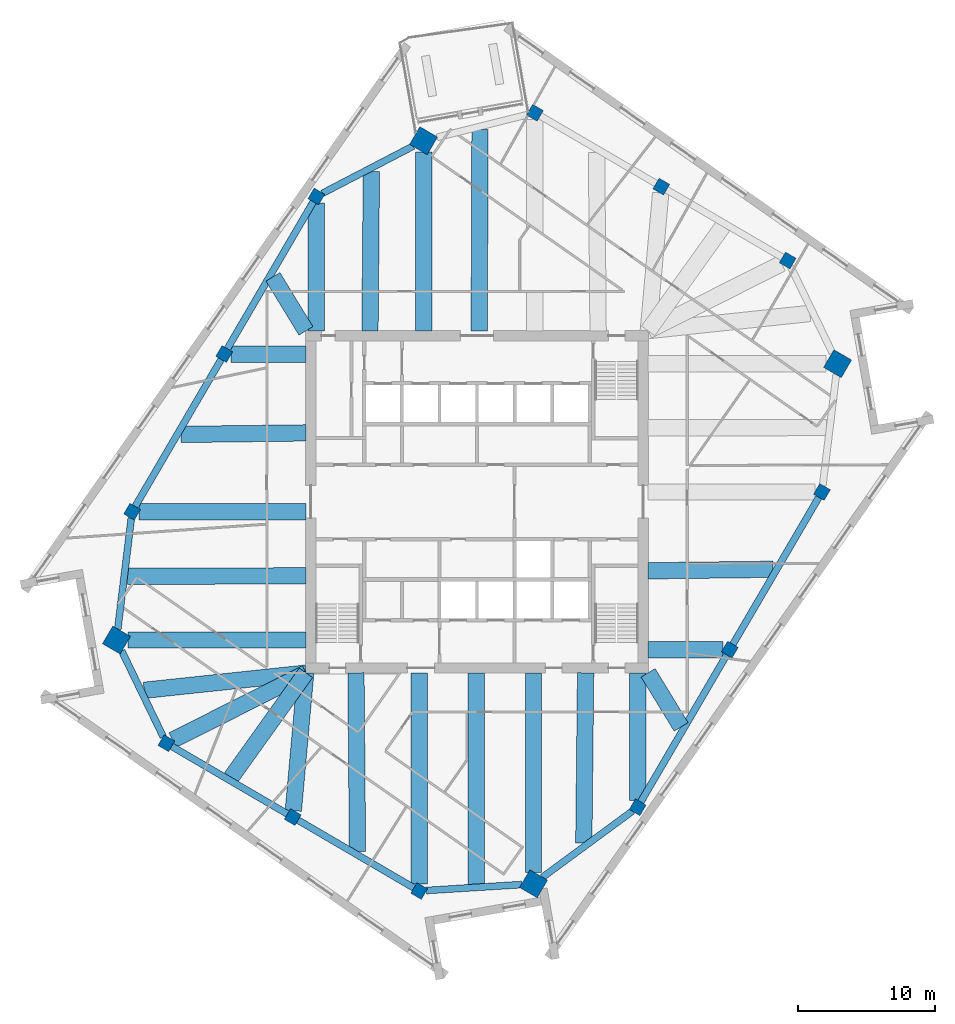
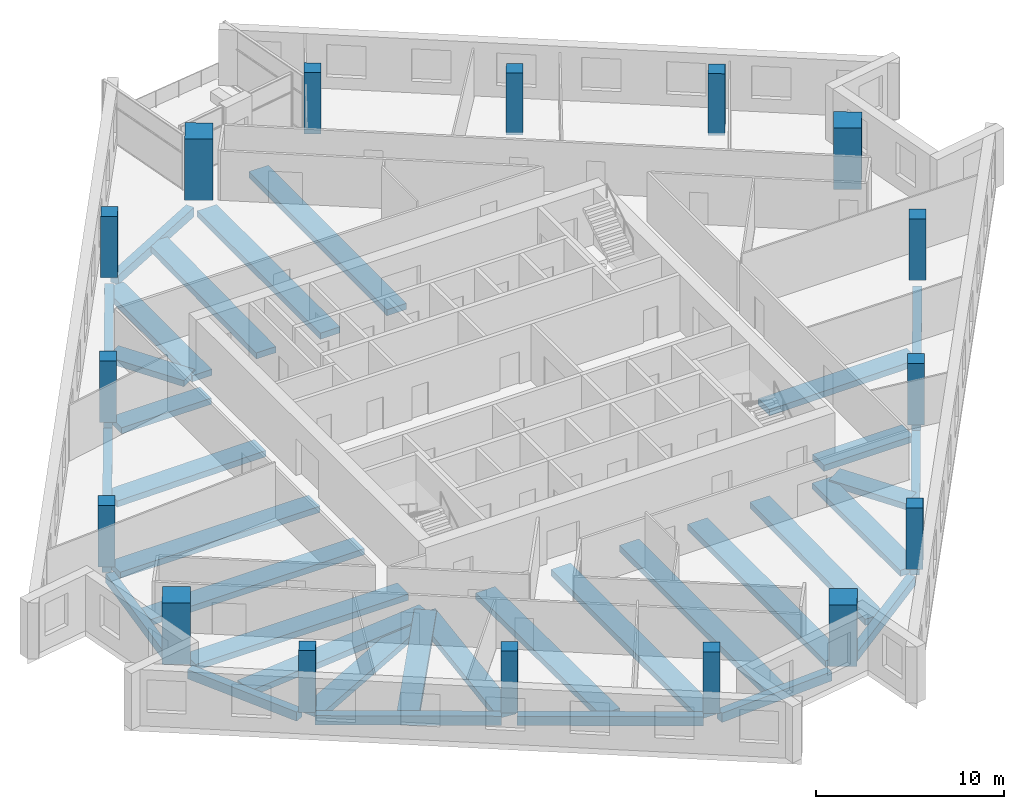
# One storey, part 1 of 13: 34 beams, 16 columns.
"""IFC4 building model written with IfcOpenShell, lengths in metres."""

from ifc_helpers import new_model, si_unit, direction, frame, origin, origin_2d, place, context, subcontext, project, spatial, rectangle, extrude, material, material_profile, profile_set, type_object, element, save


model = new_model("IFC4")

# Units and contexts
model_context = context("Model", 3, precision=1e-05, world=origin(), true_north=direction((0.0, 1.0)))
body_context = subcontext(model_context, "Body", "Model", "MODEL_VIEW")
ifc_project = project(units=[si_unit("LENGTHUNIT", "METRE"), si_unit("AREAUNIT", "SQUARE_METRE"), si_unit("VOLUMEUNIT", "CUBIC_METRE"), si_unit("PLANEANGLEUNIT", "RADIAN"), si_unit("MASSUNIT", "GRAM", prefix="KILO")], contexts=[model_context])

# Site, building, storey
site_placement = place(None, origin())
site = spatial("IfcSite", under=ifc_project, at=site_placement, CompositionType="ELEMENT")
building_placement = place(site_placement, origin())
building = spatial("IfcBuilding", under=site, at=building_placement, Name="Dilmun Exchange Tower", CompositionType="ELEMENT")
storey_placement = place(building_placement, frame((0.0, 0.0, 250.89990234375)))
storey = spatial("IfcBuildingStorey", under=building, at=storey_placement, Name="L59", CompositionType="ELEMENT", Elevation=250.89990234375)

# Columns
ifc_material_1 = material(Name="Concrete C50/60", Category="concrete")
ifc_material_profile_1 = material_profile(ifc_material_1, rectangle(XDim=1.5, YDim=1.5, at=origin_2d()), Name="1500 x 1500")
ifc_profile_set_1 = profile_set([ifc_material_profile_1], Name="Concrete C50/60")
column_type_1 = type_object("IfcColumnType", Name="RC mega column 1500 x 1500 C50/60", PredefinedType="COLUMN", material=ifc_profile_set_1)
for number, where, z_axis, x_axis, name in (
    (1, (-3.9150390625, 26.45703125, 0.0), (0.0, 0.0, 1.0), (0.504643651291, 0.863327739165, 0.0), "Mega column M1"),
    (2, (-26.4150390625, -10.1220703125, 0.0), (0.0, 0.0, 1.0), (0.504643651291, 0.863327739165, 0.0), "Mega column M2"),
    (3, (4.14111328125, -27.98291015625, 0.0), (0.0, 0.0, 1.0), (0.504643651291, 0.863327739165, 0.0), "Mega column M3"),
    (4, (26.4150390625, 10.1220703125, 0.0), (0.0, 0.0, 1.0), (0.504643651291, 0.863327739165, 0.0), "Mega column M4"),
):
    element("IfcColumn", number, at=place(storey_placement, frame(where, z_axis=z_axis, x_axis=x_axis)), inside=storey, type_object=column_type_1, Name=name, PredefinedType="COLUMN", context=body_context, shape_type="SweptSolid", body=[
        extrude(rectangle(XDim=1.5, YDim=1.5, at=origin_2d()), origin(), (0.0, 0.0, 1.0), 4.0),
    ])
ifc_material_profile_2 = material_profile(ifc_material_1, rectangle(XDim=0.89990234375, YDim=0.89990234375, at=origin_2d()), Name="900 x 900")
ifc_profile_set_2 = profile_set([ifc_material_profile_2], Name="Concrete C50/60")
column_type_2 = type_object("IfcColumnType", Name="RC ring column 900 x 900 C50/60", PredefinedType="COLUMN", material=ifc_profile_set_2)
for number, where, z_axis, x_axis, name in (
    (5, (-11.76904296875, 22.3720703125, 0.0), (0.0, 0.0, 1.0), (0.504643651291, 0.863327739165, 0.0), "Ring column R01"),
    (6, (-18.51806640625, 10.824951171875, 0.0), (0.0, 0.0, 1.0), (0.504643651291, 0.863327739165, 0.0), "Ring column R02"),
    (7, (-25.26806640625, -0.721923828125, 0.0), (0.0, 0.0, 1.0), (0.504643651291, 0.863327739165, 0.0), "Ring column R03"),
    (8, (-22.758056640625, -17.681884765625, 0.0), (0.0, 0.0, 1.0), (0.504643651291, 0.863327739165, 0.0), "Ring column R04"),
    (9, (-13.4990234375, -23.093994140625, 0.0), (0.0, 0.0, 1.0), (0.504643651291, 0.863327739165, 0.0), "Ring column R05"),
    (10, (-4.239990234375, -28.506103515625, 0.0), (0.0, 0.0, 1.0), (0.504643651291, 0.863327739165, 0.0), "Ring column R06"),
    (11, (11.76904296875, -22.3720703125, 0.0), (0.0, 0.0, 1.0), (0.504643651291, 0.863327739165, 0.0), "Ring column R07"),
    (12, (18.51806640625, -10.824951171875, 0.0), (0.0, 0.0, 1.0), (0.504643651291, 0.863327739165, 0.0), "Ring column R08"),
    (13, (25.26806640625, 0.721923828125, 0.0), (0.0, 0.0, 1.0), (0.504643651291, 0.863327739165, 0.0), "Ring column R09"),
    (14, (22.758056640625, 17.681884765625, 0.0), (0.0, 0.0, 1.0), (0.504643651291, 0.863327739165, 0.0), "Ring column R10"),
    (15, (13.4990234375, 23.093994140625, 0.0), (0.0, 0.0, 1.0), (0.504643651291, 0.863327739165, 0.0), "Ring column R11"),
    (16, (4.239990234375, 28.506103515625, 0.0), (0.0, 0.0, 1.0), (0.504643651291, 0.863327739165, 0.0), "Ring column R12"),
):
    element("IfcColumn", number, at=place(storey_placement, frame(where, z_axis=z_axis, x_axis=x_axis)), inside=storey, type_object=column_type_2, Name=name, PredefinedType="COLUMN", context=body_context, shape_type="SweptSolid", body=[
        extrude(rectangle(XDim=0.89990234375, YDim=0.89990234375, at=origin_2d()), origin(), (0.0, 0.0, 1.0), 4.0),
    ])

# Beams
ifc_material_2 = material(Name="Concrete C40/50", Category="concrete")
ifc_material_profile_3 = material_profile(ifc_material_2, rectangle(XDim=1.199951171875, YDim=0.39990234375, at=origin_2d()), Name="1200 x 400")
ifc_profile_set_3 = profile_set([ifc_material_profile_3], Name="Concrete C40/50")
beam_type_1 = type_object("IfcBeamType", Name="RC band beam 1200 x 400 C40/50", PredefinedType="BEAM", material=ifc_profile_set_3)
beam_1_placement = place(storey_placement, frame((-3.9150390625, 25.615234375, -0.659912109375), z_axis=(0.0, -1.0, 0.0), x_axis=(1.0, 0.0, 0.0)))
element("IfcBeam", 17, at=beam_1_placement, inside=storey, type_object=beam_type_1, Name="Band beam 1", PredefinedType="BEAM", context=body_context, shape_type="SweptSolid", body=[
    extrude(rectangle(XDim=1.199951171875, YDim=0.39990234375, at=origin_2d()), origin(), (0.0, 0.0, 1.0), 13.09228515625),
])
beam_2_placement = place(storey_placement, frame((-11.76904296875, 21.877685546875, -0.659912109375), z_axis=(0.0, -1.0, 0.0), x_axis=(1.0, 0.0, 0.0)))
element("IfcBeam", 18, at=beam_2_placement, inside=storey, type_object=beam_type_1, Name="Band beam 2", PredefinedType="BEAM", context=body_context, shape_type="SweptSolid", body=[
    extrude(rectangle(XDim=1.199951171875, YDim=0.39990234375, at=origin_2d()), origin(), (0.0, 0.0, 1.0), 9.354736328125),
])
beam_3_placement = place(storey_placement, frame((-18.023681640625, 10.824951171875, -0.659912109375), z_axis=(1.0, 0.0, 0.0), x_axis=(0.0, 1.0, 0.0)))
element("IfcBeam", 19, at=beam_3_placement, inside=storey, type_object=beam_type_1, Name="Band beam 3", PredefinedType="BEAM", context=body_context, shape_type="SweptSolid", body=[
    extrude(rectangle(XDim=1.199951171875, YDim=0.39990234375, at=origin_2d()), origin(), (0.0, 0.0, 1.0), 5.500732421875),
])
beam_4_placement = place(storey_placement, frame((-24.773681640625, -0.721923828125, -0.659912109375), z_axis=(1.0, 0.0, 0.0), x_axis=(0.0, 1.0, 0.0)))
element("IfcBeam", 20, at=beam_4_placement, inside=storey, type_object=beam_type_1, Name="Band beam 4", PredefinedType="BEAM", context=body_context, shape_type="SweptSolid", body=[
    extrude(rectangle(XDim=1.199951171875, YDim=0.39990234375, at=origin_2d()), origin(), (0.0, 0.0, 1.0), 12.250732421875),
])
beam_5_placement = place(storey_placement, frame((-25.5732421875, -10.1220703125, -0.659912109375), z_axis=(1.0, 0.0, 0.0), x_axis=(0.0, 1.0, 0.0)))
element("IfcBeam", 21, at=beam_5_placement, inside=storey, type_object=beam_type_1, Name="Band beam 5", PredefinedType="BEAM", context=body_context, shape_type="SweptSolid", body=[
    extrude(rectangle(XDim=1.199951171875, YDim=0.39990234375, at=origin_2d()), origin(), (0.0, 0.0, 1.0), 13.05029296875),
])
beam_6_placement = place(storey_placement, frame((-22.302734375, -17.453125, -0.659912109375), z_axis=(0.893443377394, 0.449175835716, 0.0), x_axis=(-0.449175835716, 0.893443377394, 0.0)))
element("IfcBeam", 22, at=beam_6_placement, inside=storey, type_object=beam_type_1, Name="Band beam 6", PredefinedType="BEAM", context=body_context, shape_type="SweptSolid", body=[
    extrude(rectangle(XDim=1.199951171875, YDim=0.39990234375, at=origin_2d()), origin(), (0.0, 0.0, 1.0), 10.94287109375),
])
beam_7_placement = place(storey_placement, frame((-13.456787109375, -22.625732421875, -0.659912109375), z_axis=(0.089632924375, 0.995974868593, 0.0), x_axis=(-0.995974868593, 0.089632924375, 0.0)))
element("IfcBeam", 23, at=beam_7_placement, inside=storey, type_object=beam_type_1, Name="Band beam 7", PredefinedType="BEAM", context=body_context, shape_type="SweptSolid", body=[
    extrude(rectangle(XDim=1.199951171875, YDim=0.39990234375, at=origin_2d()), origin(), (0.0, 0.0, 1.0), 10.143310546875),
])
beam_8_placement = place(storey_placement, frame((-4.239990234375, -28.01171875, -0.659912109375), z_axis=(0.0, 1.0, 0.0), x_axis=(-1.0, 0.0, 0.0)))
element("IfcBeam", 24, at=beam_8_placement, inside=storey, type_object=beam_type_1, Name="Band beam 8", PredefinedType="BEAM", context=body_context, shape_type="SweptSolid", body=[
    extrude(rectangle(XDim=1.199951171875, YDim=0.39990234375, at=origin_2d()), origin(), (0.0, 0.0, 1.0), 15.48876953125),
])
beam_9_placement = place(storey_placement, frame((4.14111328125, -27.141357421875, -0.659912109375), z_axis=(0.0, 1.0, 0.0), x_axis=(-1.0, 0.0, 0.0)))
element("IfcBeam", 25, at=beam_9_placement, inside=storey, type_object=beam_type_1, Name="Band beam 9", PredefinedType="BEAM", context=body_context, shape_type="SweptSolid", body=[
    extrude(rectangle(XDim=1.199951171875, YDim=0.39990234375, at=origin_2d()), origin(), (0.0, 0.0, 1.0), 14.618408203125),
])
beam_10_placement = place(storey_placement, frame((11.76904296875, -21.877685546875, -0.659912109375), z_axis=(0.0, 1.0, 0.0), x_axis=(-1.0, 0.0, 0.0)))
element("IfcBeam", 26, at=beam_10_placement, inside=storey, type_object=beam_type_1, Name="Band beam 10", PredefinedType="BEAM", context=body_context, shape_type="SweptSolid", body=[
    extrude(rectangle(XDim=1.199951171875, YDim=0.39990234375, at=origin_2d()), origin(), (0.0, 0.0, 1.0), 9.354736328125),
])
beam_11_placement = place(storey_placement, frame((18.023681640625, -10.824951171875, -0.659912109375), z_axis=(-1.0, 0.0, 0.0), x_axis=(0.0, -1.0, 0.0)))
element("IfcBeam", 27, at=beam_11_placement, inside=storey, type_object=beam_type_1, Name="Band beam 11", PredefinedType="BEAM", context=body_context, shape_type="SweptSolid", body=[
    extrude(rectangle(XDim=1.199951171875, YDim=0.39990234375, at=origin_2d()), origin(), (0.0, 0.0, 1.0), 5.500732421875),
])
beam_12_placement = place(storey_placement, frame((-7.739013671875, 24.216796875, -0.559814453125), z_axis=(-0.008810046818, -0.999961190784, 0.0), x_axis=(0.999961190784, -0.008810046818, 0.0)))
element("IfcBeam", 28, at=beam_12_placement, inside=storey, type_object=beam_type_1, Name="Band beam 17", PredefinedType="BEAM", context=body_context, shape_type="SweptSolid", body=[
    extrude(rectangle(XDim=1.199951171875, YDim=0.39990234375, at=origin_2d()), origin(), (0.0, 0.0, 1.0), 11.6943359375),
])
beam_13_placement = place(storey_placement, frame((-14.950927734375, 16.486083984375, -0.559814453125), z_axis=(0.520868546878, -0.853636899901, 0.0), x_axis=(0.853636899901, 0.520868546878, 0.0)))
element("IfcBeam", 29, at=beam_13_placement, inside=storey, type_object=beam_type_1, Name="Band beam 18", PredefinedType="BEAM", context=body_context, shape_type="SweptSolid", body=[
    extrude(rectangle(XDim=1.199951171875, YDim=0.39990234375, at=origin_2d()), origin(), (0.0, 0.0, 1.0), 4.637451171875),
])
beam_14_placement = place(storey_placement, frame((-21.700439453125, 4.93896484375, -0.559814453125), z_axis=(0.999924810861, 0.01226265164, 0.0), x_axis=(-0.01226265164, 0.999924810861, 0.0)))
element("IfcBeam", 30, at=beam_14_placement, inside=storey, type_object=beam_type_1, Name="Band beam 19", PredefinedType="BEAM", context=body_context, shape_type="SweptSolid", body=[
    extrude(rectangle(XDim=1.199951171875, YDim=0.39990234375, at=origin_2d()), origin(), (0.0, 0.0, 1.0), 9.17822265625),
])
beam_15_placement = place(storey_placement, frame((-25.6201171875, -5.448974609375, -0.559814453125), z_axis=(0.999997897774, 0.002050474756, 0.0), x_axis=(-0.002050474756, 0.999997897774, 0.0)))
element("IfcBeam", 31, at=beam_15_placement, inside=storey, type_object=beam_type_1, Name="Band beam 20", PredefinedType="BEAM", context=body_context, shape_type="SweptSolid", body=[
    extrude(rectangle(XDim=1.199951171875, YDim=0.39990234375, at=origin_2d()), origin(), (0.0, 0.0, 1.0), 13.09716796875),
])
beam_16_placement = place(storey_placement, frame((-24.3857421875, -13.804931640625, -0.559814453125), z_axis=(0.994425543871, 0.105441157505, 0.0), x_axis=(-0.105441157505, 0.994425543871, 0.0)))
element("IfcBeam", 32, at=beam_16_placement, inside=storey, type_object=beam_type_1, Name="Band beam 21", PredefinedType="BEAM", context=body_context, shape_type="SweptSolid", body=[
    extrude(rectangle(XDim=1.199951171875, YDim=0.39990234375, at=origin_2d()), origin(), (0.0, 0.0, 1.0), 11.928955078125),
])
beam_17_placement = place(storey_placement, frame((-18.01611328125, -20.195556640625, -0.559814453125), z_axis=(0.581600762294, 0.81347437163, 0.0), x_axis=(-0.81347437163, 0.581600762294, 0.0)))
element("IfcBeam", 33, at=beam_17_placement, inside=storey, type_object=beam_type_1, Name="Band beam 22", PredefinedType="BEAM", context=body_context, shape_type="SweptSolid", body=[
    extrude(rectangle(XDim=1.199951171875, YDim=0.39990234375, at=origin_2d()), origin(), (0.0, 0.0, 1.0), 9.425537109375),
])
beam_18_placement = place(storey_placement, frame((-8.757080078125, -25.607421875, -0.559814453125), z_axis=(-0.008582734208, 0.999963167658, 0.0), x_axis=(-0.999963167658, -0.008582734208, 0.0)))
element("IfcBeam", 34, at=beam_18_placement, inside=storey, type_object=beam_type_1, Name="Band beam 23", PredefinedType="BEAM", context=body_context, shape_type="SweptSolid", body=[
    extrude(rectangle(XDim=1.199951171875, YDim=0.39990234375, at=origin_2d()), origin(), (0.0, 0.0, 1.0), 13.0849609375),
])
beam_19_placement = place(storey_placement, frame((-0.0634765625, -28.02197265625, -0.559814453125), z_axis=(0.000897863667, 0.99999959692, 0.0), x_axis=(-0.99999959692, 0.000897863667, 0.0)))
element("IfcBeam", 35, at=beam_19_placement, inside=storey, type_object=beam_type_1, Name="Band beam 24", PredefinedType="BEAM", context=body_context, shape_type="SweptSolid", body=[
    extrude(rectangle(XDim=1.199951171875, YDim=0.39990234375, at=origin_2d()), origin(), (0.0, 0.0, 1.0), 15.4990234375),
])
beam_20_placement = place(storey_placement, frame((7.822998046875, -24.997802734375, -0.559814453125), z_axis=(0.010587112348, 0.999943954956, 0.0), x_axis=(-0.999943954956, 0.010587112348, 0.0)))
element("IfcBeam", 36, at=beam_20_placement, inside=storey, type_object=beam_type_1, Name="Band beam 25", PredefinedType="BEAM", context=body_context, shape_type="SweptSolid", body=[
    extrude(rectangle(XDim=1.199951171875, YDim=0.39990234375, at=origin_2d()), origin(), (0.0, 0.0, 1.0), 12.4755859375),
])
beam_21_placement = place(storey_placement, frame((14.950927734375, -16.486083984375, -0.559814453125), z_axis=(-0.520868546878, 0.853636899901, 0.0), x_axis=(-0.853636899901, -0.520868546878, 0.0)))
element("IfcBeam", 37, at=beam_21_placement, inside=storey, type_object=beam_type_1, Name="Band beam 26", PredefinedType="BEAM", context=body_context, shape_type="SweptSolid", body=[
    extrude(rectangle(XDim=1.199951171875, YDim=0.39990234375, at=origin_2d()), origin(), (0.0, 0.0, 1.0), 4.637451171875),
])
beam_22_placement = place(storey_placement, frame((21.700439453125, -4.93896484375, -0.559814453125), z_axis=(-0.999924810861, -0.01226265164, 0.0), x_axis=(0.01226265164, -0.999924810861, 0.0)))
element("IfcBeam", 38, at=beam_22_placement, inside=storey, type_object=beam_type_1, Name="Band beam 27", PredefinedType="BEAM", context=body_context, shape_type="SweptSolid", body=[
    extrude(rectangle(XDim=1.199951171875, YDim=0.39990234375, at=origin_2d()), origin(), (0.0, 0.0, 1.0), 9.17822265625),
])
beam_23_placement = place(storey_placement, frame((0.216796875, 27.26513671875, -0.559814453125), z_axis=(-0.003676445742, -0.999993241851, 0.0), x_axis=(0.999993241851, -0.003676445742, 0.0)))
element("IfcBeam", 39, at=beam_23_placement, inside=storey, type_object=beam_type_1, Name="Band beam 32", PredefinedType="BEAM", context=body_context, shape_type="SweptSolid", body=[
    extrude(rectangle(XDim=1.199951171875, YDim=0.39990234375, at=origin_2d()), origin(), (0.0, 0.0, 1.0), 14.7421875),
])
ifc_material_profile_4 = material_profile(ifc_material_2, rectangle(XDim=0.5, YDim=0.60009765625, at=origin_2d()), Name="500 x 600")
ifc_profile_set_4 = profile_set([ifc_material_profile_4], Name="Concrete C40/50")
beam_type_2 = type_object("IfcBeamType", Name="RC ring beam 500 x 600 C40/50", PredefinedType="SPANDREL", material=ifc_profile_set_4)
beam_24_placement = place(storey_placement, frame((-4.677490234375, 26.060302734375, -0.659912109375), z_axis=(-0.887179966585, -0.461423565599, 0.0), x_axis=(0.461423565599, -0.887179966585, 0.0)))
element("IfcBeam", 40, at=beam_24_placement, inside=storey, type_object=beam_type_2, Name="Ring beam 1", PredefinedType="SPANDREL", context=body_context, shape_type="SweptSolid", body=[
    extrude(rectangle(XDim=0.5, YDim=0.60009765625, at=origin_2d()), origin(), (0.0, 0.0, 1.0), 7.48828125),
])
beam_25_placement = place(storey_placement, frame((-11.982421875, 22.0068359375, -0.659912109375), z_axis=(-0.504603860956, -0.863350996703, 0.0), x_axis=(0.863350996703, -0.504603860956, 0.0)))
element("IfcBeam", 41, at=beam_25_placement, inside=storey, type_object=beam_type_2, Name="Ring beam 2", PredefinedType="SPANDREL", context=body_context, shape_type="SweptSolid", body=[
    extrude(rectangle(XDim=0.5, YDim=0.60009765625, at=origin_2d()), origin(), (0.0, 0.0, 1.0), 12.528564453125),
])
beam_26_placement = place(storey_placement, frame((-18.7314453125, 10.459716796875, -0.659912109375), z_axis=(-0.504670446374, -0.863312075994, 0.0), x_axis=(0.863312075994, -0.504670446374, 0.0)))
element("IfcBeam", 42, at=beam_26_placement, inside=storey, type_object=beam_type_2, Name="Ring beam 3", PredefinedType="SPANDREL", context=body_context, shape_type="SweptSolid", body=[
    extrude(rectangle(XDim=0.5, YDim=0.60009765625, at=origin_2d()), origin(), (0.0, 0.0, 1.0), 12.529052734375),
])
beam_27_placement = place(storey_placement, frame((-25.32421875, -1.181640625, -0.659912109375), z_axis=(-0.121108645076, -0.992639257781, 0.0), x_axis=(0.992639257781, -0.121108645076, 0.0)))
element("IfcBeam", 43, at=beam_27_placement, inside=storey, type_object=beam_type_2, Name="Ring beam 4", PredefinedType="SPANDREL", context=body_context, shape_type="SweptSolid", body=[
    extrude(rectangle(XDim=0.5, YDim=0.60009765625, at=origin_2d()), origin(), (0.0, 0.0, 1.0), 8.216796875),
])
beam_28_placement = place(storey_placement, frame((-26.033447265625, -10.910888671875, -0.659912109375), z_axis=(0.435439794363, -0.900217854458, 0.0), x_axis=(0.900217854458, 0.435439794363, 0.0)))
element("IfcBeam", 44, at=beam_28_placement, inside=storey, type_object=beam_type_2, Name="Ring beam 5", PredefinedType="SPANDREL", context=body_context, shape_type="SweptSolid", body=[
    extrude(rectangle(XDim=0.5, YDim=0.60009765625, at=origin_2d()), origin(), (0.0, 0.0, 1.0), 7.0068359375),
])
beam_29_placement = place(storey_placement, frame((-22.392822265625, -17.8955078125, -0.659912109375), z_axis=(0.863333071594, -0.504634528637, 0.0), x_axis=(0.504634528637, 0.863333071594, 0.0)))
element("IfcBeam", 45, at=beam_29_placement, inside=storey, type_object=beam_type_2, Name="Ring beam 6", PredefinedType="SPANDREL", context=body_context, shape_type="SweptSolid", body=[
    extrude(rectangle(XDim=0.5, YDim=0.60009765625, at=origin_2d()), origin(), (0.0, 0.0, 1.0), 9.878662109375),
])
beam_30_placement = place(storey_placement, frame((-13.1337890625, -23.3076171875, -0.659912109375), z_axis=(0.863343838609, -0.504616107884, 0.0), x_axis=(0.504616107884, 0.863343838609, 0.0)))
element("IfcBeam", 46, at=beam_30_placement, inside=storey, type_object=beam_type_2, Name="Ring beam 7", PredefinedType="SPANDREL", context=body_context, shape_type="SweptSolid", body=[
    extrude(rectangle(XDim=0.5, YDim=0.60009765625, at=origin_2d()), origin(), (0.0, 0.0, 1.0), 9.87841796875),
])
beam_31_placement = place(storey_placement, frame((-3.72607421875, -28.473876953125, -0.659912109375), z_axis=(0.998059216844, 0.062271981443, 0.0), x_axis=(-0.062271981443, 0.998059216844, 0.0)))
element("IfcBeam", 47, at=beam_31_placement, inside=storey, type_object=beam_type_2, Name="Ring beam 8", PredefinedType="SPANDREL", context=body_context, shape_type="SweptSolid", body=[
    extrude(rectangle(XDim=0.5, YDim=0.60009765625, at=origin_2d()), origin(), (0.0, 0.0, 1.0), 7.006103515625),
])
beam_32_placement = place(storey_placement, frame((4.77734375, -27.514892578125, -0.659912109375), z_axis=(0.805549228719, 0.592528851711, 0.0), x_axis=(-0.592528851711, 0.805549228719, 0.0)))
element("IfcBeam", 48, at=beam_32_placement, inside=storey, type_object=beam_type_2, Name="Ring beam 9", PredefinedType="SPANDREL", context=body_context, shape_type="SweptSolid", body=[
    extrude(rectangle(XDim=0.5, YDim=0.60009765625, at=origin_2d()), origin(), (0.0, 0.0, 1.0), 8.21630859375),
])
beam_33_placement = place(storey_placement, frame((11.982421875, -22.0068359375, -0.659912109375), z_axis=(0.504603860956, 0.863350996703, 0.0), x_axis=(-0.863350996703, 0.504603860956, 0.0)))
element("IfcBeam", 49, at=beam_33_placement, inside=storey, type_object=beam_type_2, Name="Ring beam 10", PredefinedType="SPANDREL", context=body_context, shape_type="SweptSolid", body=[
    extrude(rectangle(XDim=0.5, YDim=0.60009765625, at=origin_2d()), origin(), (0.0, 0.0, 1.0), 12.528564453125),
])
beam_34_placement = place(storey_placement, frame((18.7314453125, -10.459716796875, -0.659912109375), z_axis=(0.504670446374, 0.863312075994, 0.0), x_axis=(-0.863312075994, 0.504670446374, 0.0)))
element("IfcBeam", 50, at=beam_34_placement, inside=storey, type_object=beam_type_2, Name="Ring beam 11", PredefinedType="SPANDREL", context=body_context, shape_type="SweptSolid", body=[
    extrude(rectangle(XDim=0.5, YDim=0.60009765625, at=origin_2d()), origin(), (0.0, 0.0, 1.0), 12.529052734375),
])

save(model, "model.ifc")
